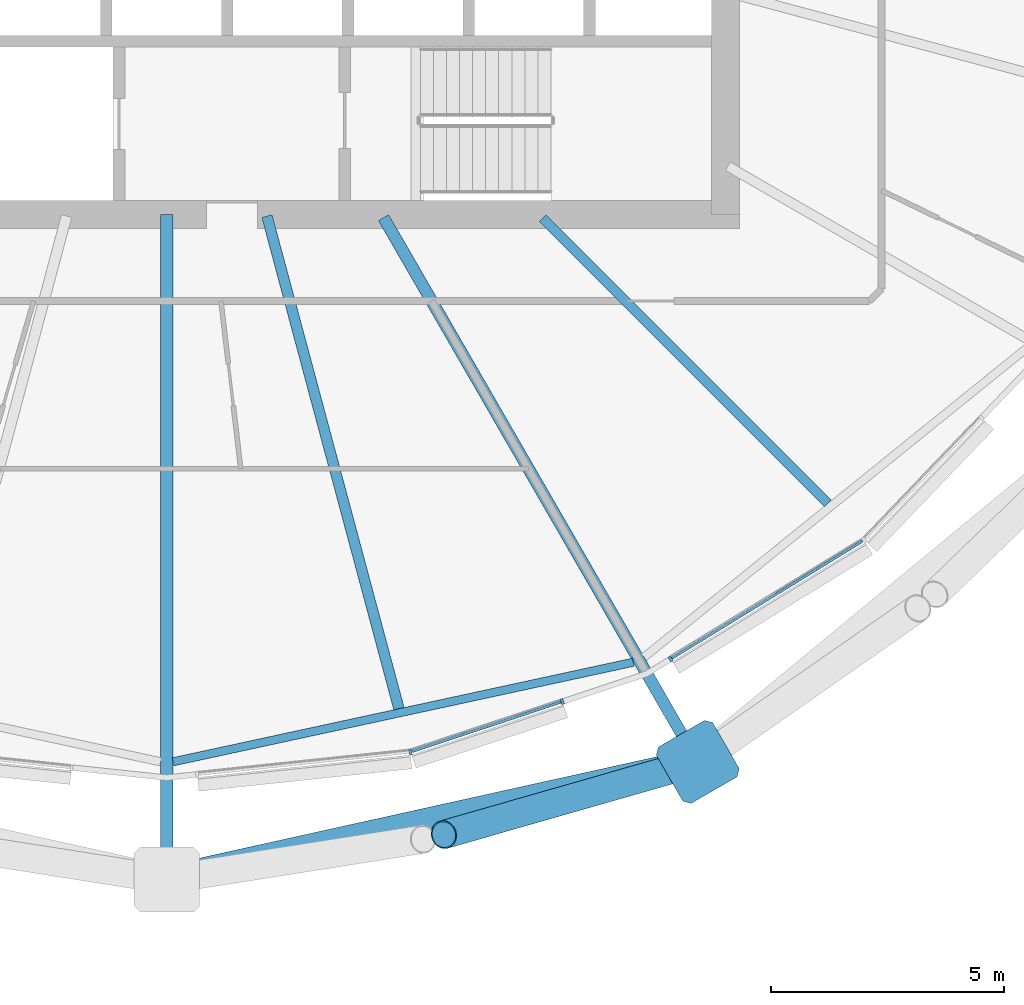
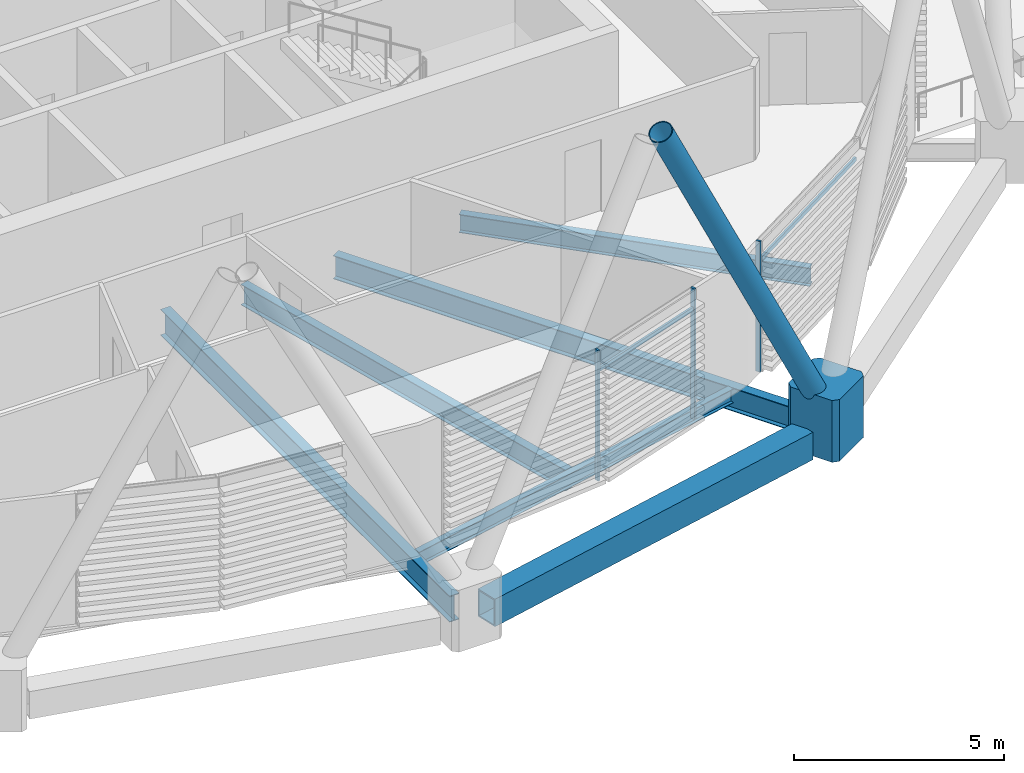
# One storey, part 4 of 38: 7 members, 6 beams, 1 element without a shape of its own.
"""IFC4 building model written with IfcOpenShell, lengths in metres."""

from ifc_helpers import new_model, si_unit, direction, frame, origin, origin_2d, place, context, subcontext, project, spatial, polyline, rectangle, hollow_rectangle, hollow_circle, i_section, outline, extrude, material, material_profile, profile_set, type_object, element, aggregate, save


model = new_model("IFC4")

# Units and contexts
model_context = context("Model", 3, precision=1e-05, world=origin(), true_north=direction((0.0, 1.0)))
body_context = subcontext(model_context, "Body", "Model", "MODEL_VIEW")
ifc_project = project(units=[si_unit("LENGTHUNIT", "METRE"), si_unit("AREAUNIT", "SQUARE_METRE"), si_unit("VOLUMEUNIT", "CUBIC_METRE"), si_unit("PLANEANGLEUNIT", "RADIAN"), si_unit("MASSUNIT", "GRAM", prefix="KILO")], contexts=[model_context])

# Site, building, storey
site_placement = place(None, origin())
site = spatial("IfcSite", under=ifc_project, at=site_placement, CompositionType="ELEMENT")
building_placement = place(site_placement, origin())
building = spatial("IfcBuilding", under=site, at=building_placement, Name="Rimbun Link Towers", CompositionType="ELEMENT")
storey_placement = place(building_placement, frame((0.0, 0.0, 158.89990234375)))
storey = spatial("IfcBuildingStorey", under=building, at=storey_placement, Name="L38", CompositionType="ELEMENT", Elevation=158.89990234375)

# Curtain wall, members
ifc_material_1 = material(Name="Aluminium 6063-T6 and low-iron glass", Category="aluminium")
curtain_wall_type = type_object("IfcCurtainWallType", Name="CW1-Z3 unitised vision wall (zone 3)", PredefinedType="NOTDEFINED", material=ifc_material_1)
curtain_wall_placement = place(storey_placement, origin())
curtain_wall = element("IfcCurtainWall", 1, at=curtain_wall_placement, inside=storey, type_object=curtain_wall_type, Name="CW1 L38 T1", PredefinedType="NOTDEFINED")
ifc_material_2 = material(Name="Aluminium 6063-T6", Category="aluminium")
ifc_material_profile_1 = material_profile(ifc_material_2, rectangle(XDim=0.1201171875, YDim=0.06005859375, at=origin_2d()), Name="MULLION 60X120")
ifc_profile_set_1 = profile_set([ifc_material_profile_1], Name="Aluminium 6063-T6")
member_type_1 = type_object("IfcMemberType", Name="CW1 mullion 60X120", PredefinedType="MULLION", material=ifc_profile_set_1)
member_1_placement = place(storey_placement, frame((-26.51708984375, -19.541015625, 0.0), z_axis=(0.0, 0.0, 1.0), x_axis=(0.210865888506, -0.977515000941, 0.0)))
member_1 = element("IfcMember", 2, at=member_1_placement, type_object=member_type_1, Name="CW1 mullion", PredefinedType="MULLION", context=body_context, shape_type="SweptSolid", body=[
    extrude(rectangle(XDim=0.1201171875, YDim=0.06005859375, at=origin_2d()), origin(), (0.0, 0.0, 1.0), 3.800048828125),
])
member_2_placement = place(storey_placement, frame((-23.254638671875, -18.460205078125, 0.0), z_axis=(0.0, 0.0, 1.0), x_axis=(0.314555722988, -0.949239009489, 0.0)))
member_2 = element("IfcMember", 3, at=member_2_placement, type_object=member_type_1, Name="CW1 mullion", PredefinedType="MULLION", context=body_context, shape_type="SweptSolid", body=[
    extrude(rectangle(XDim=0.1201171875, YDim=0.06005859375, at=origin_2d()), origin(), (0.0, 0.0, 1.0), 3.800048828125),
])
member_3_placement = place(storey_placement, frame((-20.92724609375, -17.542724609375, 0.0), z_axis=(0.0, 0.0, 1.0), x_axis=(0.523249760653, -0.85217937547, 0.0)))
member_3 = element("IfcMember", 4, at=member_3_placement, type_object=member_type_1, Name="CW1 mullion", PredefinedType="MULLION", context=body_context, shape_type="SweptSolid", body=[
    extrude(rectangle(XDim=0.1201171875, YDim=0.06005859375, at=origin_2d()), origin(), (0.0, 0.0, 1.0), 3.800048828125),
])
ifc_material_3 = material(Name="Aluminium 6063-T6", Category="aluminium")
ifc_material_profile_2 = material_profile(ifc_material_3, rectangle(XDim=0.06005859375, YDim=0.1201171875, at=origin_2d()), Name="TRANSOM 60X120")
ifc_profile_set_2 = profile_set([ifc_material_profile_2], Name="Aluminium 6063-T6")
member_type_2 = type_object("IfcMemberType", Name="CW1 transom 60X120", PredefinedType="USERDEFINED", material=ifc_profile_set_2)
member_4_placement = place(storey_placement, frame((-23.28369140625, -18.4677734375, 3.2001953125), z_axis=(-0.949246811547, -0.314532177636, 0.0), x_axis=(0.314532177636, -0.949246811547, 0.0)))
member_4 = element("IfcMember", 5, at=member_4_placement, type_object=member_type_2, Name="CW1 transom", ObjectType="TRANSOM", PredefinedType="USERDEFINED", context=body_context, shape_type="SweptSolid", body=[
    extrude(rectangle(XDim=0.06005859375, YDim=0.1201171875, at=origin_2d()), origin(), (0.0, 0.0, 1.0), 3.370361328125),
])
member_5_placement = place(storey_placement, frame((-16.802490234375, -15.0078125, 3.2001953125), z_axis=(-0.852173607466, -0.523259154471, 0.0), x_axis=(0.523259154471, -0.852173607466, 0.0)))
member_5 = element("IfcMember", 6, at=member_5_placement, type_object=member_type_2, Name="CW1 transom", ObjectType="TRANSOM", PredefinedType="USERDEFINED", context=body_context, shape_type="SweptSolid", body=[
    extrude(rectangle(XDim=0.06005859375, YDim=0.1201171875, at=origin_2d()), origin(), (0.0, 0.0, 1.0), 4.811279296875),
])
aggregate(curtain_wall, [member_1, member_2, member_3, member_4, member_5])

# Members
ifc_material_4 = material(Name="Steel S355J2H", Category="steel")
ifc_material_profile_3 = material_profile(ifc_material_4, hollow_circle(Radius=0.3046875, WallThickness=0.02490234375, at=origin_2d()), Name="Diagrid diagonal CHS 610x25")
ifc_profile_set_3 = profile_set([ifc_material_profile_3], Name="Steel S355J2H")
member_type_3 = type_object("IfcMemberType", Name="Diagrid diagonal CHS 610x25", PredefinedType="BRACE", material=ifc_profile_set_3)
member_6_placement = place(storey_placement, frame((-20.56591796875, -19.8173828125, 0.444091796875), z_axis=(-0.442152021771, -0.126644382728, 0.887954272453), x_axis=(0.275354732768, -0.961342691834, 0.0)))
element("IfcMember", 7, at=member_6_placement, inside=storey, type_object=member_type_3, Name="Diagrid diagonal T1 L38-L41 20a", PredefinedType="BRACE", context=body_context, shape_type="SweptSolid", body=[
    extrude(hollow_circle(Radius=0.3046875, WallThickness=0.02490234375, at=origin_2d()), origin(), (0.0, 0.0, 1.0), 11.83837890625),
])
ifc_material_5 = material(Name="Cast steel G20Mn5+QT, Rp0.2 300 MPa", Category="steel")
ifc_material_profile_4 = material_profile(ifc_material_5, outline(polyline([(0.699951171875, -0.570068359375), (0.699951171875, 0.570068359375), (0.570068359375, 0.699951171875), (-0.570068359375, 0.699951171875), (-0.699951171875, 0.570068359375), (-0.699951171875, -0.570068359375), (-0.570068359375, -0.699951171875), (0.570068359375, -0.699951171875), (0.699951171875, -0.570068359375)])), Name="NODE 1400x1400")
ifc_profile_set_4 = profile_set([ifc_material_profile_4], Name="Cast steel G20Mn5+QT, Rp0.2 300 MPa")
member_type_4 = type_object("IfcMemberType", Name="Diagrid node cast 1400", PredefinedType="USERDEFINED", material=ifc_profile_set_4)
member_7_placement = place(storey_placement, frame((-20.344970703125, -19.754150390625, -0.89990234375), z_axis=(0.0, 0.0, 1.0), x_axis=(0.5, -0.866025403784, 0.0)))
element("IfcMember", 8, at=member_7_placement, inside=storey, type_object=member_type_4, Name="Diagrid node L38 20", ObjectType="Diagrid node", PredefinedType="USERDEFINED", context=body_context, shape_type="SweptSolid", body=[
    extrude(outline(polyline([(0.699951171875, -0.570068359375), (0.699951171875, 0.570068359375), (0.570068359375, 0.699951171875), (-0.570068359375, 0.699951171875), (-0.699951171875, 0.570068359375), (-0.699951171875, -0.570068359375), (-0.570068359375, -0.699951171875), (0.570068359375, -0.699951171875), (0.699951171875, -0.570068359375)])), origin(), (0.0, 0.0, 1.0), 1.800048828125),
])

# Beams
ifc_material_6 = material(Name="Steel S355J2", Category="steel")
ifc_material_profile_5 = material_profile(ifc_material_6, hollow_rectangle(XDim=0.60009765625, YDim=0.800048828125, WallThickness=0.0400390625, at=origin_2d()), Name="Exoskeleton ring girder BOX 600x800x40")
ifc_profile_set_5 = profile_set([ifc_material_profile_5], Name="Steel S355J2")
beam_type_1 = type_object("IfcBeamType", Name="Exoskeleton ring girder BOX 600x800x40", PredefinedType="BEAM", material=ifc_profile_set_5)
beam_1_placement = place(storey_placement, frame((-31.066650390625, -22.130615234375, -0.559814453125), z_axis=(0.976303128555, 0.216407488719, 0.0), x_axis=(-0.216407488719, 0.976303128555, 0.0)))
element("IfcBeam", 9, at=beam_1_placement, inside=storey, type_object=beam_type_1, Name="Exoskeleton ring girder L38 06", PredefinedType="BEAM", context=body_context, shape_type="SweptSolid", body=[
    extrude(hollow_rectangle(XDim=0.60009765625, YDim=0.800048828125, WallThickness=0.0400390625, at=origin_2d()), origin(), (0.0, 0.0, 1.0), 10.281982421875),
])
ifc_material_7 = material(Name="Steel S355J2", Category="steel")
ifc_material_profile_6 = material_profile(ifc_material_7, i_section(OverallWidth=0.177978515625, OverallDepth=0.406494140625, WebThickness=0.0078125, FlangeThickness=0.0126953125, at=origin_2d()), Name="UB 406x178x60")
ifc_profile_set_6 = profile_set([ifc_material_profile_6], Name="Steel S355J2")
beam_type_2 = type_object("IfcBeamType", Name="UB 406x178x60", PredefinedType="BEAM", material=ifc_profile_set_6)
beam_2_placement = place(storey_placement, frame((-31.61572265625, -19.751708984375, -0.35302734375), z_axis=(0.97738977143, 0.211445583315, 0.0), x_axis=(-0.211445583315, 0.97738977143, 0.0)))
element("IfcBeam", 10, at=beam_2_placement, inside=storey, type_object=beam_type_2, Name="Edge beam T1 L38 18-20", PredefinedType="BEAM", context=body_context, shape_type="SweptSolid", body=[
    extrude(i_section(OverallWidth=0.177978515625, OverallDepth=0.406494140625, WebThickness=0.0078125, FlangeThickness=0.0126953125, at=origin_2d()), origin(), (0.0, 0.0, 1.0), 10.11572265625),
])
ifc_material_8 = material(Name="Steel S355J2", Category="steel")
ifc_material_profile_7 = material_profile(ifc_material_8, i_section(OverallWidth=0.209228515625, OverallDepth=0.533203125, WebThickness=0.010009765625, FlangeThickness=0.015625, at=origin_2d()), Name="UB 533x210x92")
ifc_profile_set_7 = profile_set([ifc_material_profile_7], Name="Steel S355J2")
beam_type_3 = type_object("IfcBeamType", Name="UB 533x210x92", PredefinedType="BEAM", material=ifc_profile_set_7)
beam_3_placement = place(storey_placement, frame((-23.67529296875, -8.07470703125, -0.41650390625), z_axis=(0.707106781187, -0.707106781187, 0.0), x_axis=(0.707106781187, 0.707106781187, 0.0)))
element("IfcBeam", 11, at=beam_3_placement, inside=storey, type_object=beam_type_3, Name="Radial beam T1 L38 21", PredefinedType="BEAM", context=body_context, shape_type="SweptSolid", body=[
    extrude(i_section(OverallWidth=0.209228515625, OverallDepth=0.533203125, WebThickness=0.010009765625, FlangeThickness=0.015625, at=origin_2d()), origin(), (0.0, 0.0, 1.0), 8.662841796875),
])
ifc_material_9 = material(Name="Steel S355J2", Category="steel")
ifc_material_profile_8 = material_profile(ifc_material_9, i_section(OverallWidth=0.2275390625, OverallDepth=0.6025390625, WebThickness=0.010498046875, FlangeThickness=0.014892578125, at=origin_2d()), Name="UB 610x229x101")
ifc_profile_set_8 = profile_set([ifc_material_profile_8], Name="Steel S355J2")
beam_type_4 = type_object("IfcBeamType", Name="UB 610x229x101", PredefinedType="BEAM", material=ifc_profile_set_8)
beam_4_placement = place(storey_placement, frame((-29.598388671875, -8.030517578125, -0.451171875), z_axis=(0.258833388669, -0.965921982828, 0.0), x_axis=(0.965921982828, 0.258833388669, 0.0)))
element("IfcBeam", 12, at=beam_4_placement, inside=storey, type_object=beam_type_4, Name="Radial beam T1 L38 19", PredefinedType="BEAM", context=body_context, shape_type="SweptSolid", body=[
    extrude(i_section(OverallWidth=0.2275390625, OverallDepth=0.6025390625, WebThickness=0.010498046875, FlangeThickness=0.014892578125, at=origin_2d()), origin(), (0.0, 0.0, 1.0), 10.952880859375),
])
ifc_material_10 = material(Name="Steel S355J2", Category="steel")
ifc_material_profile_9 = material_profile(ifc_material_10, i_section(OverallWidth=0.253662109375, OverallDepth=0.68359375, WebThickness=0.012451171875, FlangeThickness=0.01904296875, at=origin_2d()), Name="UB 686x254x140")
ifc_profile_set_9 = profile_set([ifc_material_profile_9], Name="Steel S355J2")
beam_type_5 = type_object("IfcBeamType", Name="UB 686x254x140", PredefinedType="BEAM", material=ifc_profile_set_9)
beam_5_placement = place(storey_placement, frame((-27.093994140625, -8.064208984375, -0.49169921875), z_axis=(0.499993432475, -0.866029195513, 0.0), x_axis=(0.866029195513, 0.499993432475, 0.0)))
element("IfcBeam", 13, at=beam_5_placement, inside=storey, type_object=beam_type_5, Name="Radial beam T1 L38 20", PredefinedType="BEAM", context=body_context, shape_type="SweptSolid", body=[
    extrude(i_section(OverallWidth=0.253662109375, OverallDepth=0.68359375, WebThickness=0.012451171875, FlangeThickness=0.01904296875, at=origin_2d()), origin(), (0.0, 0.0, 1.0), 12.998291015625),
])
ifc_material_11 = material(Name="Steel S355J2", Category="steel")
ifc_material_profile_10 = material_profile(ifc_material_11, i_section(OverallWidth=0.2666015625, OverallDepth=0.76220703125, WebThickness=0.014404296875, FlangeThickness=0.021484375, at=origin_2d()), Name="UB 762x267x173")
ifc_profile_set_10 = profile_set([ifc_material_profile_10], Name="Steel S355J2")
beam_type_6 = type_object("IfcBeamType", Name="UB 762x267x173", PredefinedType="BEAM", material=ifc_profile_set_10)
beam_6_placement = place(storey_placement, frame((-31.75, -8.0009765625, -0.531005859375), z_axis=(0.0, -1.0, 0.0), x_axis=(1.0, 0.0, 0.0)))
element("IfcBeam", 14, at=beam_6_placement, inside=storey, type_object=beam_type_6, Name="Radial beam T1 L38 18", PredefinedType="BEAM", context=body_context, shape_type="SweptSolid", body=[
    extrude(i_section(OverallWidth=0.2666015625, OverallDepth=0.76220703125, WebThickness=0.014404296875, FlangeThickness=0.021484375, at=origin_2d()), origin(), (0.0, 0.0, 1.0), 13.781005859375),
])

save(model, "model.ifc")
